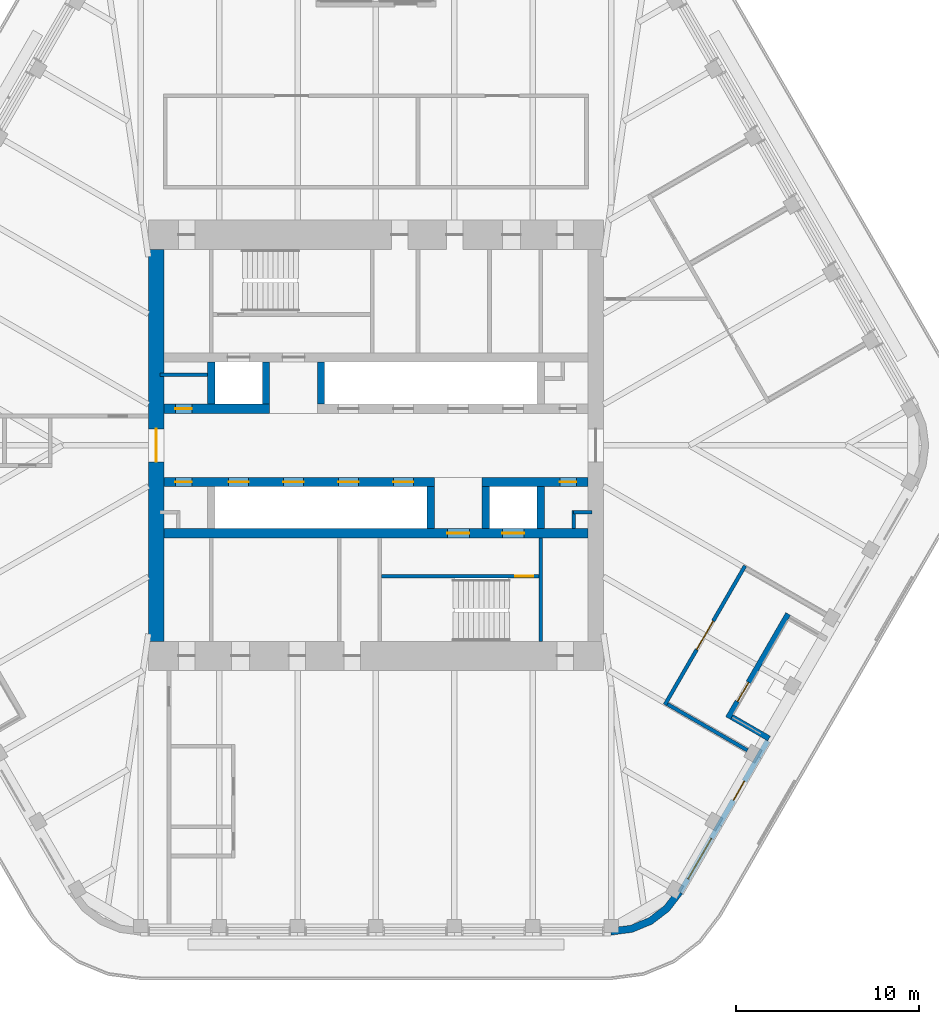
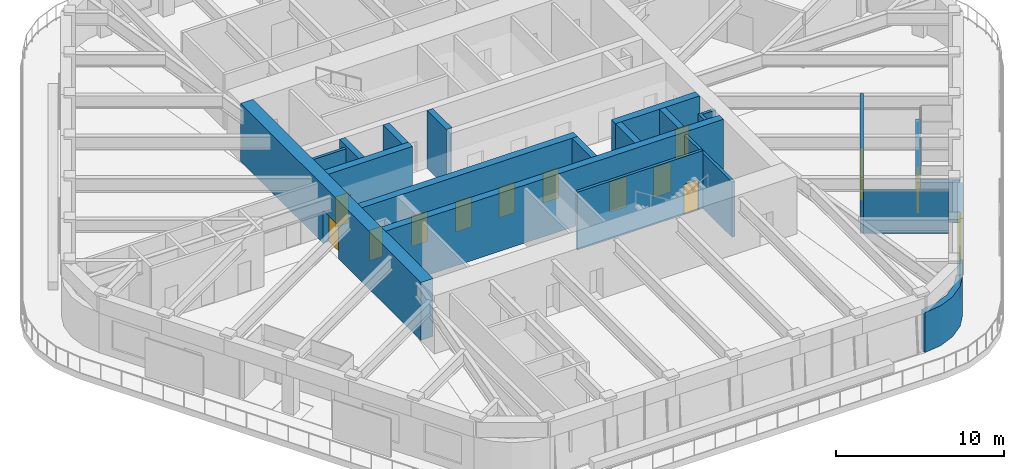
# One storey, part 14 of 19: 22 walls, 14 doors, 1 window, 15 openings.
"""IFC4 building model written with IfcOpenShell, lengths in metres."""

from ifc_helpers import new_model, si_unit, direction, frame, frame_2d, origin, place, context, subcontext, project, spatial, polyline, rectangle, outline, extrude, material, layer, layer_set, type_object, element, fill, save


model = new_model("IFC4")

# Units and contexts
model_context = context("Model", 3, precision=1e-05, world=origin(), true_north=direction((0.0, 1.0)))
body_context = subcontext(model_context, "Body", "Model", "MODEL_VIEW")
ifc_project = project(units=[si_unit("LENGTHUNIT", "METRE"), si_unit("AREAUNIT", "SQUARE_METRE"), si_unit("VOLUMEUNIT", "CUBIC_METRE"), si_unit("PLANEANGLEUNIT", "RADIAN"), si_unit("MASSUNIT", "GRAM", prefix="KILO")], contexts=[model_context])

# Site, building, storey
site_placement = place(None, origin())
site = spatial("IfcSite", under=ifc_project, at=site_placement, CompositionType="ELEMENT")
building_placement = place(site_placement, origin())
building = spatial("IfcBuilding", under=site, at=building_placement, Name="Tarfa Lantern Tower", CompositionType="ELEMENT")
storey_placement = place(building_placement, frame((0.0, 0.0, 387.10009765625)))
storey = spatial("IfcBuildingStorey", under=building, at=storey_placement, Name="L88", CompositionType="ELEMENT", Elevation=387.10009765625)

# Wall, openings, door, window
ifc_material_1 = material(Name="Limestone cladding on blockwork", Category="masonry")
ifc_layer_1 = layer(ifc_material_1, 0.300048828125)
ifc_layer_set_1 = layer_set([ifc_layer_1], Name="EW1 STONE-CLAD WALL 300")
wall_type_1 = type_object("IfcWallType", Name="EW1 STONE-CLAD WALL 300", PredefinedType="SOLIDWALL", material=ifc_layer_set_1)
wall_1_placement = place(storey_placement, frame((16.61328125, -24.425048828125, 0.0), z_axis=(0.0, 0.0, 1.0), x_axis=(0.499996453679, 0.866027451244, 0.0)))
wall_1 = element("IfcWall", 1, at=wall_1_placement, inside=storey, type_object=wall_type_1, Name="Stone wall SE", PredefinedType="SOLIDWALL", context=body_context, shape_type="SweptSolid", body=[
    extrude(rectangle(XDim=9.56396484375, YDim=0.300048828125, at=frame_2d((4.781982421875, 0.0))), origin(), (0.0, 0.0, 1.0), 2.89990234375),
])
opening_1_placement = place(wall_1_placement, frame((0.865966796875, 0.0, 0.60009765625)))
opening_1 = element("IfcOpeningElement", 2, at=opening_1_placement, cuts=wall_1, Name="Opening W17", PredefinedType="OPENING", context=body_context, shape_type="SweptSolid", body=[
    extrude(rectangle(XDim=2.550048828125, YDim=2.050048828125, at=frame_2d((1.27490234375, 1.02490234375))), frame((0.0, 0.159912109375, 0.0), z_axis=(0.0, -1.0, 0.0), x_axis=(1.0, 0.0, 0.0)), (0.0, 0.0, 1.0), 0.320068359375),
])
opening_2_placement = place(wall_1_placement, frame((5.822998046875, 0.0, 0.0)))
opening_2 = element("IfcOpeningElement", 3, at=opening_2_placement, cuts=wall_1, Name="Opening D36", PredefinedType="OPENING", context=body_context, shape_type="SweptSolid", body=[
    extrude(rectangle(XDim=1.199951171875, YDim=2.39990234375, at=frame_2d((0.60009765625, 1.199951171875))), frame((0.0, 0.159912109375, 0.0), z_axis=(0.0, -1.0, 0.0), x_axis=(1.0, 0.0, 0.0)), (0.0, 0.0, 1.0), 0.320068359375),
])
ifc_material_2 = material(Name="Aluminium framed glazed door", Category="aluminium")
door_type_1 = type_object("IfcDoorType", Name="BE3 BALCONY DOOR 1200x2400", OperationType="SINGLE_SWING_RIGHT", PredefinedType="DOOR", material=ifc_material_2)
door_1_placement = place(opening_2_placement, origin())
door_1 = element("IfcDoor", 4, at=door_1_placement, inside=storey, type_object=door_type_1, Name="Balcony door SE", OperationType="SINGLE_SWING_LEFT", OverallHeight=2.39990234375, OverallWidth=1.199951171875, PredefinedType="DOOR", context=body_context, shape_type="SweptSolid", body=[
    extrude(rectangle(XDim=1.199951171875, YDim=2.39990234375, at=frame_2d((0.60009765625, 1.199951171875))), frame((0.0, 0.02490234375, 0.0), z_axis=(0.0, -1.0, 0.0), x_axis=(1.0, 0.0, 0.0)), (0.0, 0.0, 1.0), 0.050048828125),
])
fill(opening_2, door_1)
ifc_material_3 = material(Name="Aluminium frame, double glazed", Category="aluminium")
window_type = type_object("IfcWindowType", Name="W17 FULL-HEIGHT GLAZING 2550x2050", PartitioningType="SINGLE_PANEL", PredefinedType="WINDOW", material=ifc_material_3)
window_placement = place(opening_1_placement, origin())
window = element("IfcWindow", 5, at=window_placement, inside=storey, type_object=window_type, Name="Window SE 1", OverallHeight=2.050048828125, OverallWidth=2.550048828125, PartitioningType="SINGLE_PANEL", PredefinedType="WINDOW", context=body_context, shape_type="SweptSolid", body=[
    extrude(rectangle(XDim=2.550048828125, YDim=2.050048828125, at=frame_2d((1.27490234375, 1.02490234375))), frame((0.0, 0.030029296875, 0.0), z_axis=(0.0, -1.0, 0.0), x_axis=(1.0, 0.0, 0.0)), (0.0, 0.0, 1.0), 0.06005859375),
])
fill(opening_1, window)

# Wall
wall_2_placement = place(storey_placement, frame((21.47021484375, -16.012451171875, 0.0), z_axis=(0.0, 0.0, 1.0), x_axis=(-0.866016039709, 0.500016218704, 0.0)))
element("IfcWall", 6, at=wall_2_placement, inside=storey, type_object=wall_type_1, Name="Terrace return SE 1", PredefinedType="SOLIDWALL", context=body_context, shape_type="SweptSolid", body=[
    extrude(rectangle(XDim=2.35009765625, YDim=0.300048828125, at=frame_2d((1.175048828125, 0.0))), origin(), (0.0, 0.0, 1.0), 2.89990234375),
])

# Wall, opening, door
wall_3_placement = place(storey_placement, frame((19.230224609375, -14.892333984375, 0.0), z_axis=(0.0, 0.0, 1.0), x_axis=(0.499999339774, 0.866025784966, 0.0)))
wall_3 = element("IfcWall", 7, at=wall_3_placement, inside=storey, type_object=wall_type_1, Name="Stone wall SES", PredefinedType="SOLIDWALL", context=body_context, shape_type="SweptSolid", body=[
    extrude(rectangle(XDim=6.56396484375, YDim=0.300048828125, at=frame_2d((3.281982421875, 0.0))), origin(), (0.0, 0.0, 1.0), 2.89990234375),
])
opening_3_placement = place(wall_3_placement, frame((1.041015625, 0.0, 0.0)))
opening_3 = element("IfcOpeningElement", 8, at=opening_3_placement, cuts=wall_3, Name="Opening D37", PredefinedType="OPENING", context=body_context, shape_type="SweptSolid", body=[
    extrude(rectangle(XDim=1.199951171875, YDim=2.39990234375, at=frame_2d((0.60009765625, 1.199951171875))), frame((0.0, 0.159912109375, 0.0), z_axis=(0.0, -1.0, 0.0), x_axis=(1.0, 0.0, 0.0)), (0.0, 0.0, 1.0), 0.320068359375),
])
door_2_placement = place(opening_3_placement, origin())
door_2 = element("IfcDoor", 9, at=door_2_placement, inside=storey, type_object=door_type_1, Name="Balcony door SES", OperationType="SINGLE_SWING_RIGHT", OverallHeight=2.39990234375, OverallWidth=1.199951171875, PredefinedType="DOOR", context=body_context, shape_type="SweptSolid", body=[
    extrude(rectangle(XDim=1.199951171875, YDim=2.39990234375, at=frame_2d((0.60009765625, 1.199951171875))), frame((0.0, 0.02490234375, 0.0), z_axis=(0.0, -1.0, 0.0), x_axis=(1.0, 0.0, 0.0)), (0.0, 0.0, 1.0), 0.050048828125),
])
fill(opening_3, door_2)

# Walls
ifc_layer_2 = layer(ifc_material_1, 0.39990234375)
ifc_layer_set_2 = layer_set([ifc_layer_2], Name="EW2 CURVED STONE CORNER 400")
wall_type_2 = type_object("IfcWallType", Name="EW2 CURVED STONE CORNER 400", PredefinedType="SOLIDWALL", material=ifc_layer_set_2)
wall_4_placement = place(storey_placement, origin())
element("IfcWall", 10, at=wall_4_placement, inside=storey, type_object=wall_type_2, Name="Stone corner S-SE", PredefinedType="SOLIDWALL", context=body_context, shape_type="SweptSolid", body=[
    extrude(outline(polyline([(12.845947265625, -26.75), (14.0107421875, -26.5966796875), (15.095947265625, -26.147216796875), (16.028076171875, -25.431884765625), (16.7431640625, -24.5), (16.396728515625, -24.300048828125), (15.7451171875, -25.149169921875), (14.89599609375, -25.80078125), (13.9072265625, -26.210205078125), (12.845947265625, -26.35009765625), (12.845947265625, -26.75)])), origin(), (0.0, 0.0, 1.0), 2.89990234375),
])
ifc_material_4 = material(Name="Concrete blockwork", Category="masonry")
ifc_layer_3 = layer(ifc_material_4, 0.199951171875)
ifc_layer_set_3 = layer_set([ifc_layer_3], Name="IW1 BLOCKWORK PARTITION 200 EI 120")
wall_type_3 = type_object("IfcWallType", Name="IW1 BLOCKWORK PARTITION 200 EI 120", PredefinedType="PARTITIONING", material=ifc_layer_set_3)
wall_5_placement = place(storey_placement, frame((9.0, -5.050048828125, 0.0), z_axis=(0.0, 0.0, 1.0), x_axis=(0.0, -1.0, 0.0)))
element("IfcWall", 11, at=wall_5_placement, inside=storey, type_object=wall_type_3, Name="Core partition", PredefinedType="PARTITIONING", context=body_context, shape_type="SweptSolid", body=[
    extrude(rectangle(XDim=5.64990234375, YDim=0.199951171875, at=frame_2d((2.824951171875, 0.0))), origin(), (0.0, 0.0, 1.0), 4.0),
])
wall_6_placement = place(storey_placement, frame((-11.800048828125, 3.85009765625, 0.0), z_axis=(0.0, 0.0, 1.0), x_axis=(1.0, 0.0, 0.0)))
element("IfcWall", 12, at=wall_6_placement, inside=storey, type_object=wall_type_3, Name="Core partition", PredefinedType="PARTITIONING", context=body_context, shape_type="SweptSolid", body=[
    extrude(rectangle(XDim=2.60009765625, YDim=0.199951171875, at=frame_2d((1.300048828125, 0.0))), origin(), (0.0, 0.0, 1.0), 4.0),
])
for number, where, z_axis, x_axis, name in (
    (13, (11.800048828125, -3.64990234375, 0.0), (0.0, 0.0, 1.0), (-1.0, 0.0, 0.0), "Core partition"),
    (14, (10.800048828125, -3.550048828125, 0.0), (0.0, 0.0, 1.0), (0.0, -1.0, 0.0), "Core partition"),
):
    element("IfcWall", number, at=place(storey_placement, frame(where, z_axis=z_axis, x_axis=x_axis)), inside=storey, type_object=wall_type_3, Name=name, PredefinedType="PARTITIONING", context=body_context, shape_type="SweptSolid", body=[
        extrude(rectangle(XDim=1.0, YDim=0.199951171875, at=frame_2d((0.5, 0.0))), origin(), (0.0, 0.0, 1.0), 4.0),
    ])

# Wall, opening, door
ifc_material_5 = material(Name="Gypsum board on steel studs", Category="steel")
ifc_layer_4 = layer(ifc_material_5, 0.2099609375)
ifc_layer_set_4 = layer_set([ifc_layer_4], Name="IW2 ACOUSTIC PARTITION 200")
wall_type_4 = type_object("IfcWallType", Name="IW2 ACOUSTIC PARTITION 200", PredefinedType="PARTITIONING", material=ifc_layer_set_4)
wall_7_placement = place(storey_placement, frame((15.779052734375, -14.169921875, 0.0), z_axis=(0.0, 0.0, 1.0), x_axis=(0.500006995557, 0.86602136486, 0.0)))
wall_7 = element("IfcWall", 15, at=wall_7_placement, inside=storey, type_object=wall_type_4, Name="Partition", PredefinedType="PARTITIONING", context=body_context, shape_type="SweptSolid", body=[
    extrude(rectangle(XDim=8.763916015625, YDim=0.199951171875, at=frame_2d((4.3818359375, 0.0))), origin(), (0.0, 0.0, 1.0), 4.0),
])
opening_4_placement = place(wall_7_placement, frame((3.48193359375, 0.0, 0.0)))
opening_4 = element("IfcOpeningElement", 16, at=opening_4_placement, cuts=wall_7, Name="Opening D23", PredefinedType="OPENING", context=body_context, shape_type="SweptSolid", body=[
    extrude(rectangle(XDim=1.800048828125, YDim=2.39990234375, at=frame_2d((0.89990234375, 1.199951171875))), frame((0.0, 0.10986328125, 0.0), z_axis=(0.0, -1.0, 0.0), x_axis=(1.0, 0.0, 0.0)), (0.0, 0.0, 1.0), 0.219970703125),
])
ifc_material_6 = material(Name="Timber door", Category="wood")
door_type_2 = type_object("IfcDoorType", Name="DR2 ROOM DOOR 1800x2400", OperationType="DOUBLE_DOOR_SINGLE_SWING", PredefinedType="DOOR", material=ifc_material_6)
door_3_placement = place(opening_4_placement, frame((1.800048828125, 0.0, 0.0), z_axis=(0.0, 0.0, 1.0), x_axis=(-1.0, 0.0, 0.0)))
door_3 = element("IfcDoor", 17, at=door_3_placement, inside=storey, type_object=door_type_2, Name="Majlis door", OperationType="DOUBLE_DOOR_SINGLE_SWING", OverallHeight=2.39990234375, OverallWidth=1.800048828125, PredefinedType="DOOR", context=body_context, shape_type="SweptSolid", body=[
    extrude(rectangle(XDim=1.800048828125, YDim=2.39990234375, at=frame_2d((0.89990234375, 1.199951171875))), frame((0.0, 0.02490234375, 0.0), z_axis=(0.0, -1.0, 0.0), x_axis=(1.0, 0.0, 0.0)), (0.0, 0.0, 1.0), 0.050048828125),
])
fill(opening_4, door_3)

# Wall
wall_8_placement = place(storey_placement, frame((15.91552734375, -14.13330078125, 0.0), z_axis=(0.0, 0.0, 1.0), x_axis=(0.866018134068, -0.500012591307, 0.0)))
element("IfcWall", 18, at=wall_8_placement, inside=storey, type_object=wall_type_4, Name="Partition", PredefinedType="PARTITIONING", context=body_context, shape_type="SweptSolid", body=[
    extrude(rectangle(XDim=5.050048828125, YDim=0.199951171875, at=frame_2d((2.52490234375, 0.0))), origin(), (0.0, 0.0, 1.0), 3.08154296875),
])

# Wall, opening, door
ifc_material_7 = material(Name="Concrete C80/95", Category="concrete")
ifc_layer_5 = layer(ifc_material_7, 0.199951171875)
ifc_layer_set_5 = layer_set([ifc_layer_5], Name="SW12 CORE WALL 200")
wall_type_5 = type_object("IfcWallType", Name="SW12 CORE WALL 200", PredefinedType="SHEAR", material=ifc_layer_set_5)
wall_9_placement = place(storey_placement, frame((8.89990234375, -7.14990234375, 0.0), z_axis=(0.0, 0.0, 1.0), x_axis=(-1.0, 0.0, 0.0)))
wall_9 = element("IfcWall", 19, at=wall_9_placement, inside=storey, type_object=wall_type_5, Name="Core wall stair partition S", PredefinedType="SHEAR", context=body_context, shape_type="SweptSolid", body=[
    extrude(rectangle(XDim=8.599853515625, YDim=0.199951171875, at=frame_2d((4.2998046875, 0.0))), origin(), (0.0, 0.0, 1.0), 4.199951171875),
])
opening_5_placement = place(wall_9_placement, frame((0.300048828125, 0.0, 0.0)))
opening_5 = element("IfcOpeningElement", 20, at=opening_5_placement, cuts=wall_9, Name="Opening D20", PredefinedType="OPENING", context=body_context, shape_type="SweptSolid", body=[
    extrude(rectangle(XDim=1.0, YDim=2.199951171875, at=frame_2d((0.5, 1.10009765625))), frame((0.0, 0.10986328125, 0.0), z_axis=(0.0, -1.0, 0.0), x_axis=(1.0, 0.0, 0.0)), (0.0, 0.0, 1.0), 0.219970703125),
])
ifc_material_8 = material(Name="Steel fire door", Category="steel")
door_type_3 = type_object("IfcDoorType", Name="DF2 STAIR DOOR 1000x2200", OperationType="SINGLE_SWING_LEFT", PredefinedType="DOOR", material=ifc_material_8)
door_4_placement = place(opening_5_placement, origin())
door_4 = element("IfcDoor", 21, at=door_4_placement, inside=storey, type_object=door_type_3, Name="Stair door", OperationType="SINGLE_SWING_RIGHT", OverallHeight=2.199951171875, OverallWidth=1.0, PredefinedType="DOOR", context=body_context, shape_type="SweptSolid", body=[
    extrude(rectangle(XDim=1.0, YDim=2.199951171875, at=frame_2d((0.5, 1.10009765625))), frame((0.0, 0.02490234375, 0.0), z_axis=(0.0, -1.0, 0.0), x_axis=(1.0, 0.0, 0.0)), (0.0, 0.0, 1.0), 0.050048828125),
])
fill(opening_5, door_4)

ifc_layer_6 = layer(ifc_material_7, 0.85009765625)
ifc_layer_set_6 = layer_set([ifc_layer_6], Name="SW3 CORE WALL 850")
wall_type_6 = type_object("IfcWallType", Name="SW3 CORE WALL 850", PredefinedType="SHEAR", material=ifc_layer_set_6)
wall_10_placement = place(storey_placement, frame((-12.0, 10.699951171875, 0.0), z_axis=(0.0, 0.0, 1.0), x_axis=(0.0, -1.0, 0.0)))
wall_10 = element("IfcWall", 22, at=wall_10_placement, inside=storey, type_object=wall_type_6, Name="Core wall W", PredefinedType="SHEAR", context=body_context, shape_type="SweptSolid", body=[
    extrude(rectangle(XDim=21.39990234375, YDim=0.85009765625, at=frame_2d((10.699951171875, 0.0))), origin(), (0.0, 0.0, 1.0), 4.199951171875),
])
opening_6_placement = place(wall_10_placement, frame((9.800048828125, 0.0, 0.0)))
opening_6 = element("IfcOpeningElement", 23, at=opening_6_placement, cuts=wall_10, Name="Opening D08", PredefinedType="OPENING", context=body_context, shape_type="SweptSolid", body=[
    extrude(rectangle(XDim=1.800048828125, YDim=2.39990234375, at=frame_2d((0.89990234375, 1.199951171875))), frame((0.0, 0.43505859375, 0.0), z_axis=(0.0, -1.0, 0.0), x_axis=(1.0, 0.0, 0.0)), (0.0, 0.0, 1.0), 0.8701171875),
])
door_type_4 = type_object("IfcDoorType", Name="DL1 LOBBY DOOR 1800x2400", OperationType="DOUBLE_DOOR_SINGLE_SWING", PredefinedType="DOOR", material=ifc_material_8)
door_5_placement = place(opening_6_placement, frame((1.800048828125, 0.0, 0.0), z_axis=(0.0, 0.0, 1.0), x_axis=(-1.0, 0.0, 0.0)))
door_5 = element("IfcDoor", 24, at=door_5_placement, inside=storey, type_object=door_type_4, Name="Lift lobby door", OperationType="DOUBLE_DOOR_SINGLE_SWING", OverallHeight=2.39990234375, OverallWidth=1.800048828125, PredefinedType="DOOR", context=body_context, shape_type="SweptSolid", body=[
    extrude(rectangle(XDim=1.800048828125, YDim=2.39990234375, at=frame_2d((0.89990234375, 1.199951171875))), frame((0.0, 0.02490234375, 0.0), z_axis=(0.0, -1.0, 0.0), x_axis=(1.0, 0.0, 0.0)), (0.0, 0.0, 1.0), 0.050048828125),
])
fill(opening_6, door_5)

ifc_layer_7 = layer(ifc_material_7, 0.5)
ifc_layer_set_7 = layer_set([ifc_layer_7], Name="SW5 CORE WALL 500")
wall_type_7 = type_object("IfcWallType", Name="SW5 CORE WALL 500", PredefinedType="SHEAR", material=ifc_layer_set_7)
wall_11_placement = place(storey_placement, frame((-11.574951171875, 2.0, 0.0), z_axis=(0.0, 0.0, 1.0), x_axis=(1.0, 0.0, 0.0)))
wall_11 = element("IfcWall", 25, at=wall_11_placement, inside=storey, type_object=wall_type_7, Name="Core wall lobby west N", PredefinedType="SHEAR", context=body_context, shape_type="SweptSolid", body=[
    extrude(rectangle(XDim=5.77490234375, YDim=0.5, at=frame_2d((2.887451171875, 0.0))), origin(), (0.0, 0.0, 1.0), 4.199951171875),
])
opening_7_placement = place(wall_11_placement, frame((0.625, 0.0, 0.0)))
opening_7 = element("IfcOpeningElement", 26, at=opening_7_placement, cuts=wall_11, Name="Opening D11", PredefinedType="OPENING", context=body_context, shape_type="SweptSolid", body=[
    extrude(rectangle(XDim=0.89990234375, YDim=2.199951171875, at=frame_2d((0.449951171875, 1.10009765625))), frame((0.0, 0.260009765625, 0.0), z_axis=(0.0, -1.0, 0.0), x_axis=(1.0, 0.0, 0.0)), (0.0, 0.0, 1.0), 0.52001953125),
])
door_type_5 = type_object("IfcDoorType", Name="DF6 SERVICE ROOM DOOR 900x2200", OperationType="SINGLE_SWING_LEFT", PredefinedType="DOOR", material=ifc_material_8)
door_6_placement = place(opening_7_placement, origin())
door_6 = element("IfcDoor", 27, at=door_6_placement, inside=storey, type_object=door_type_5, Name="Service room door", OperationType="SINGLE_SWING_RIGHT", OverallHeight=2.199951171875, OverallWidth=0.89990234375, PredefinedType="DOOR", context=body_context, shape_type="SweptSolid", body=[
    extrude(rectangle(XDim=0.89990234375, YDim=2.199951171875, at=frame_2d((0.449951171875, 1.10009765625))), frame((0.0, 0.02490234375, 0.0), z_axis=(0.0, -1.0, 0.0), x_axis=(1.0, 0.0, 0.0)), (0.0, 0.0, 1.0), 0.050048828125),
])
fill(opening_7, door_6)

wall_12_placement = place(storey_placement, frame((11.574951171875, -2.0, 0.0), z_axis=(0.0, 0.0, 1.0), x_axis=(-1.0, 0.0, 0.0)))
wall_12 = element("IfcWall", 28, at=wall_12_placement, inside=storey, type_object=wall_type_7, Name="Core wall lobby west S", PredefinedType="SHEAR", context=body_context, shape_type="SweptSolid", body=[
    extrude(rectangle(XDim=5.77490234375, YDim=0.5, at=frame_2d((2.887451171875, 0.0))), origin(), (0.0, 0.0, 1.0), 4.199951171875),
])
opening_8_placement = place(wall_12_placement, frame((0.625, 0.0, 0.0)))
opening_8 = element("IfcOpeningElement", 29, at=opening_8_placement, cuts=wall_12, Name="Opening D12", PredefinedType="OPENING", context=body_context, shape_type="SweptSolid", body=[
    extrude(rectangle(XDim=0.89990234375, YDim=2.199951171875, at=frame_2d((0.449951171875, 1.10009765625))), frame((0.0, 0.260009765625, 0.0), z_axis=(0.0, -1.0, 0.0), x_axis=(1.0, 0.0, 0.0)), (0.0, 0.0, 1.0), 0.52001953125),
])
door_7_placement = place(opening_8_placement, origin())
door_7 = element("IfcDoor", 30, at=door_7_placement, inside=storey, type_object=door_type_5, Name="Service room door", OperationType="SINGLE_SWING_RIGHT", OverallHeight=2.199951171875, OverallWidth=0.89990234375, PredefinedType="DOOR", context=body_context, shape_type="SweptSolid", body=[
    extrude(rectangle(XDim=0.89990234375, YDim=2.199951171875, at=frame_2d((0.449951171875, 1.10009765625))), frame((0.0, 0.02490234375, 0.0), z_axis=(0.0, -1.0, 0.0), x_axis=(1.0, 0.0, 0.0)), (0.0, 0.0, 1.0), 0.050048828125),
])
fill(opening_8, door_7)

# Wall, openings, doors
wall_13_placement = place(storey_placement, frame((3.199951171875, -2.0, 0.0), z_axis=(0.0, 0.0, 1.0), x_axis=(-1.0, 0.0, 0.0)))
wall_13 = element("IfcWall", 31, at=wall_13_placement, inside=storey, type_object=wall_type_7, Name="Core wall lobby east S", PredefinedType="SHEAR", context=body_context, shape_type="SweptSolid", body=[
    extrude(rectangle(XDim=14.77490234375, YDim=0.5, at=frame_2d((7.387451171875, 0.0))), origin(), (0.0, 0.0, 1.0), 4.199951171875),
])
opening_9_placement = place(wall_13_placement, frame((13.25, 0.0, 0.0)))
opening_9 = element("IfcOpeningElement", 32, at=opening_9_placement, cuts=wall_13, Name="Opening D10", PredefinedType="OPENING", context=body_context, shape_type="SweptSolid", body=[
    extrude(rectangle(XDim=0.89990234375, YDim=2.199951171875, at=frame_2d((0.449951171875, 1.10009765625))), frame((0.0, 0.260009765625, 0.0), z_axis=(0.0, -1.0, 0.0), x_axis=(1.0, 0.0, 0.0)), (0.0, 0.0, 1.0), 0.52001953125),
])
opening_10_placement = place(wall_13_placement, frame((1.14990234375, 0.0, 0.0)))
opening_10 = element("IfcOpeningElement", 33, at=opening_10_placement, cuts=wall_13, Name="Opening LD07", PredefinedType="OPENING", context=body_context, shape_type="SweptSolid", body=[
    extrude(rectangle(XDim=1.10009765625, YDim=2.199951171875, at=frame_2d((0.550048828125, 1.10009765625))), frame((0.0, 0.260009765625, 0.0), z_axis=(0.0, -1.0, 0.0), x_axis=(1.0, 0.0, 0.0)), (0.0, 0.0, 1.0), 0.52001953125),
])
opening_11_placement = place(wall_13_placement, frame((4.14990234375, 0.0, 0.0)))
opening_11 = element("IfcOpeningElement", 34, at=opening_11_placement, cuts=wall_13, Name="Opening LD08", PredefinedType="OPENING", context=body_context, shape_type="SweptSolid", body=[
    extrude(rectangle(XDim=1.10009765625, YDim=2.199951171875, at=frame_2d((0.550048828125, 1.10009765625))), frame((0.0, 0.260009765625, 0.0), z_axis=(0.0, -1.0, 0.0), x_axis=(1.0, 0.0, 0.0)), (0.0, 0.0, 1.0), 0.52001953125),
])
opening_12_placement = place(wall_13_placement, frame((7.14990234375, 0.0, 0.0)))
opening_12 = element("IfcOpeningElement", 35, at=opening_12_placement, cuts=wall_13, Name="Opening LD09", PredefinedType="OPENING", context=body_context, shape_type="SweptSolid", body=[
    extrude(rectangle(XDim=1.10009765625, YDim=2.199951171875, at=frame_2d((0.550048828125, 1.10009765625))), frame((0.0, 0.260009765625, 0.0), z_axis=(0.0, -1.0, 0.0), x_axis=(1.0, 0.0, 0.0)), (0.0, 0.0, 1.0), 0.52001953125),
])
opening_13_placement = place(wall_13_placement, frame((10.14990234375, 0.0, 0.0)))
opening_13 = element("IfcOpeningElement", 36, at=opening_13_placement, cuts=wall_13, Name="Opening LD10", PredefinedType="OPENING", context=body_context, shape_type="SweptSolid", body=[
    extrude(rectangle(XDim=1.10009765625, YDim=2.199951171875, at=frame_2d((0.550048828125, 1.10009765625))), frame((0.0, 0.260009765625, 0.0), z_axis=(0.0, -1.0, 0.0), x_axis=(1.0, 0.0, 0.0)), (0.0, 0.0, 1.0), 0.52001953125),
])
door_8_placement = place(opening_9_placement, origin())
door_8 = element("IfcDoor", 37, at=door_8_placement, inside=storey, type_object=door_type_5, Name="Service room door", OperationType="SINGLE_SWING_LEFT", OverallHeight=2.199951171875, OverallWidth=0.89990234375, PredefinedType="DOOR", context=body_context, shape_type="SweptSolid", body=[
    extrude(rectangle(XDim=0.89990234375, YDim=2.199951171875, at=frame_2d((0.449951171875, 1.10009765625))), frame((0.0, 0.02490234375, 0.0), z_axis=(0.0, -1.0, 0.0), x_axis=(1.0, 0.0, 0.0)), (0.0, 0.0, 1.0), 0.050048828125),
])
fill(opening_9, door_8)
ifc_material_9 = material(Name="Stainless steel lift door", Category="steel")
door_type_6 = type_object("IfcDoorType", Name="LD2 LIFT LANDING DOOR 1100x2200", OperationType="SLIDING_TO_LEFT", PredefinedType="DOOR", material=ifc_material_9)
door_9_placement = place(opening_10_placement, frame((1.10009765625, 0.0, 0.0), z_axis=(0.0, 0.0, 1.0), x_axis=(-1.0, 0.0, 0.0)))
door_9 = element("IfcDoor", 38, at=door_9_placement, inside=storey, type_object=door_type_6, Name="Landing door PD5", OperationType="SLIDING_TO_LEFT", OverallHeight=2.199951171875, OverallWidth=1.10009765625, PredefinedType="DOOR", context=body_context, shape_type="SweptSolid", body=[
    extrude(rectangle(XDim=1.10009765625, YDim=2.199951171875, at=frame_2d((0.550048828125, 1.10009765625))), frame((0.0, 0.02490234375, 0.0), z_axis=(0.0, -1.0, 0.0), x_axis=(1.0, 0.0, 0.0)), (0.0, 0.0, 1.0), 0.050048828125),
])
fill(opening_10, door_9)
door_10_placement = place(opening_11_placement, frame((1.10009765625, 0.0, 0.0), z_axis=(0.0, 0.0, 1.0), x_axis=(-1.0, 0.0, 0.0)))
door_10 = element("IfcDoor", 39, at=door_10_placement, inside=storey, type_object=door_type_6, Name="Landing door PD6", OperationType="SLIDING_TO_LEFT", OverallHeight=2.199951171875, OverallWidth=1.10009765625, PredefinedType="DOOR", context=body_context, shape_type="SweptSolid", body=[
    extrude(rectangle(XDim=1.10009765625, YDim=2.199951171875, at=frame_2d((0.550048828125, 1.10009765625))), frame((0.0, 0.02490234375, 0.0), z_axis=(0.0, -1.0, 0.0), x_axis=(1.0, 0.0, 0.0)), (0.0, 0.0, 1.0), 0.050048828125),
])
fill(opening_11, door_10)
door_11_placement = place(opening_12_placement, frame((1.10009765625, 0.0, 0.0), z_axis=(0.0, 0.0, 1.0), x_axis=(-1.0, 0.0, 0.0)))
door_11 = element("IfcDoor", 40, at=door_11_placement, inside=storey, type_object=door_type_6, Name="Landing door PD7", OperationType="SLIDING_TO_LEFT", OverallHeight=2.199951171875, OverallWidth=1.10009765625, PredefinedType="DOOR", context=body_context, shape_type="SweptSolid", body=[
    extrude(rectangle(XDim=1.10009765625, YDim=2.199951171875, at=frame_2d((0.550048828125, 1.10009765625))), frame((0.0, 0.02490234375, 0.0), z_axis=(0.0, -1.0, 0.0), x_axis=(1.0, 0.0, 0.0)), (0.0, 0.0, 1.0), 0.050048828125),
])
fill(opening_12, door_11)
door_12_placement = place(opening_13_placement, frame((1.10009765625, 0.0, 0.0), z_axis=(0.0, 0.0, 1.0), x_axis=(-1.0, 0.0, 0.0)))
door_12 = element("IfcDoor", 41, at=door_12_placement, inside=storey, type_object=door_type_6, Name="Landing door PD8", OperationType="SLIDING_TO_LEFT", OverallHeight=2.199951171875, OverallWidth=1.10009765625, PredefinedType="DOOR", context=body_context, shape_type="SweptSolid", body=[
    extrude(rectangle(XDim=1.10009765625, YDim=2.199951171875, at=frame_2d((0.550048828125, 1.10009765625))), frame((0.0, 0.02490234375, 0.0), z_axis=(0.0, -1.0, 0.0), x_axis=(1.0, 0.0, 0.0)), (0.0, 0.0, 1.0), 0.050048828125),
])
fill(opening_13, door_12)

wall_14_placement = place(storey_placement, frame((11.574951171875, -4.800048828125, 0.0), z_axis=(0.0, 0.0, 1.0), x_axis=(-1.0, 0.0, 0.0)))
wall_14 = element("IfcWall", 42, at=wall_14_placement, inside=storey, type_object=wall_type_7, Name="Core wall rear S", PredefinedType="SHEAR", context=body_context, shape_type="SweptSolid", body=[
    extrude(rectangle(XDim=23.14990234375, YDim=0.5, at=frame_2d((11.574951171875, 0.0))), origin(), (0.0, 0.0, 1.0), 4.199951171875),
])
opening_14_placement = place(wall_14_placement, frame((6.47509765625, 0.0, 0.0)))
opening_14 = element("IfcOpeningElement", 43, at=opening_14_placement, cuts=wall_14, Name="Opening D06", PredefinedType="OPENING", context=body_context, shape_type="SweptSolid", body=[
    extrude(rectangle(XDim=1.199951171875, YDim=2.199951171875, at=frame_2d((0.60009765625, 1.10009765625))), frame((0.0, 0.260009765625, 0.0), z_axis=(0.0, -1.0, 0.0), x_axis=(1.0, 0.0, 0.0)), (0.0, 0.0, 1.0), 0.52001953125),
])
opening_15_placement = place(wall_14_placement, frame((3.47509765625, 0.0, 0.0)))
opening_15 = element("IfcOpeningElement", 44, at=opening_15_placement, cuts=wall_14, Name="Opening LD02", PredefinedType="OPENING", context=body_context, shape_type="SweptSolid", body=[
    extrude(rectangle(XDim=1.199951171875, YDim=2.199951171875, at=frame_2d((0.60009765625, 1.10009765625))), frame((0.0, 0.260009765625, 0.0), z_axis=(0.0, -1.0, 0.0), x_axis=(1.0, 0.0, 0.0)), (0.0, 0.0, 1.0), 0.52001953125),
])
door_type_7 = type_object("IfcDoorType", Name="DF1 FIREFIGHTING LOBBY DOOR 1200x2200", OperationType="SINGLE_SWING_LEFT", PredefinedType="DOOR", material=ifc_material_8)
door_13_placement = place(opening_14_placement, origin())
door_13 = element("IfcDoor", 45, at=door_13_placement, inside=storey, type_object=door_type_7, Name="Firefighting lobby door", OperationType="SINGLE_SWING_LEFT", OverallHeight=2.199951171875, OverallWidth=1.199951171875, PredefinedType="DOOR", context=body_context, shape_type="SweptSolid", body=[
    extrude(rectangle(XDim=1.199951171875, YDim=2.199951171875, at=frame_2d((0.60009765625, 1.10009765625))), frame((0.0, 0.02490234375, 0.0), z_axis=(0.0, -1.0, 0.0), x_axis=(1.0, 0.0, 0.0)), (0.0, 0.0, 1.0), 0.050048828125),
])
fill(opening_14, door_13)
door_type_8 = type_object("IfcDoorType", Name="LD1 LIFT LANDING DOOR 1200x2200", OperationType="SLIDING_TO_LEFT", PredefinedType="DOOR", material=ifc_material_9)
door_14_placement = place(opening_15_placement, origin())
door_14 = element("IfcDoor", 46, at=door_14_placement, inside=storey, type_object=door_type_8, Name="Landing door FL2", OperationType="SLIDING_TO_LEFT", OverallHeight=2.199951171875, OverallWidth=1.199951171875, PredefinedType="DOOR", context=body_context, shape_type="SweptSolid", body=[
    extrude(rectangle(XDim=1.199951171875, YDim=2.199951171875, at=frame_2d((0.60009765625, 1.10009765625))), frame((0.0, 0.02490234375, 0.0), z_axis=(0.0, -1.0, 0.0), x_axis=(1.0, 0.0, 0.0)), (0.0, 0.0, 1.0), 0.050048828125),
])
fill(opening_15, door_14)

# Walls
ifc_layer_8 = layer(ifc_material_7, 0.39990234375)
ifc_layer_set_8 = layer_set([ifc_layer_8], Name="SW6 CORE WALL 400")
wall_type_8 = type_object("IfcWallType", Name="SW6 CORE WALL 400", PredefinedType="SHEAR", material=ifc_layer_set_8)
for number, where, z_axis, x_axis, name in (
    (47, (-9.0, 2.25, 0.0), (0.0, 0.0, 1.0), (0.0, 1.0, 0.0), "Core wall divider N"),
    (48, (-6.0, 2.25, 0.0), (0.0, 0.0, 1.0), (0.0, 1.0, 0.0), "Core wall divider N"),
    (49, (-3.0, 2.25, 0.0), (0.0, 0.0, 1.0), (0.0, 1.0, 0.0), "Core wall divider N"),
    (50, (9.0, -2.25, 0.0), (0.0, 0.0, 1.0), (0.0, -1.0, 0.0), "Core wall divider S"),
    (51, (6.0, -2.25, 0.0), (0.0, 0.0, 1.0), (0.0, -1.0, 0.0), "Core wall divider S"),
    (52, (3.0, -2.25, 0.0), (0.0, 0.0, 1.0), (0.0, -1.0, 0.0), "Core wall divider S"),
):
    element("IfcWall", number, at=place(storey_placement, frame(where, z_axis=z_axis, x_axis=x_axis)), inside=storey, type_object=wall_type_8, Name=name, PredefinedType="SHEAR", context=body_context, shape_type="SweptSolid", body=[
        extrude(rectangle(XDim=2.300048828125, YDim=0.39990234375, at=frame_2d((1.14990234375, 0.0))), origin(), (0.0, 0.0, 1.0), 4.199951171875),
    ])

save(model, "model.ifc")
